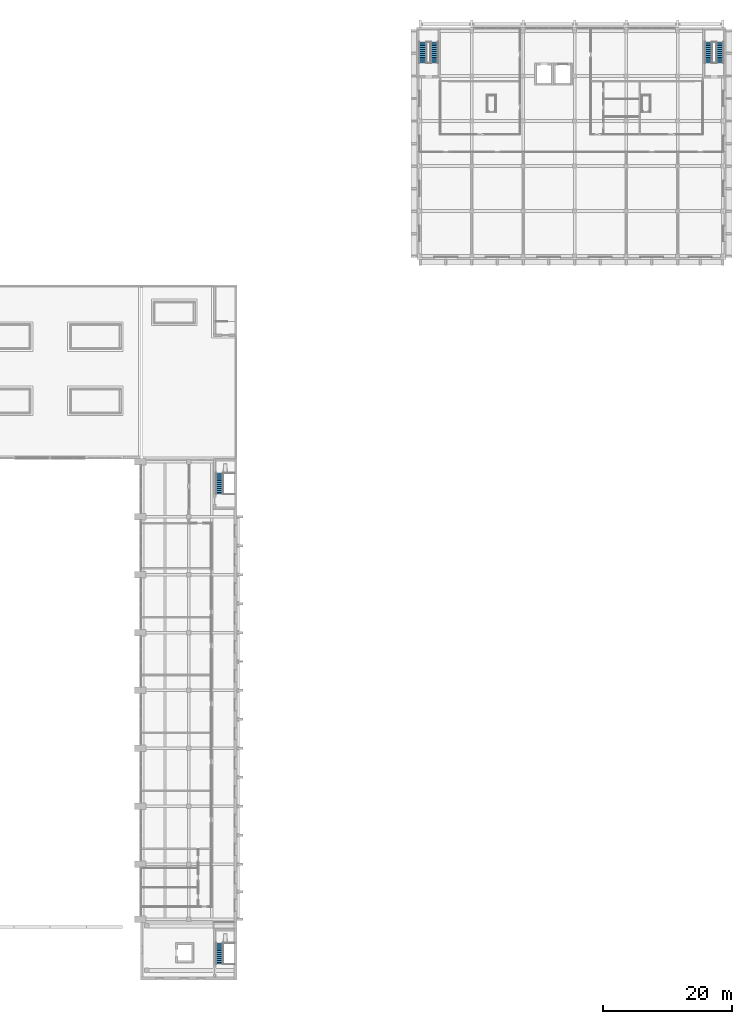
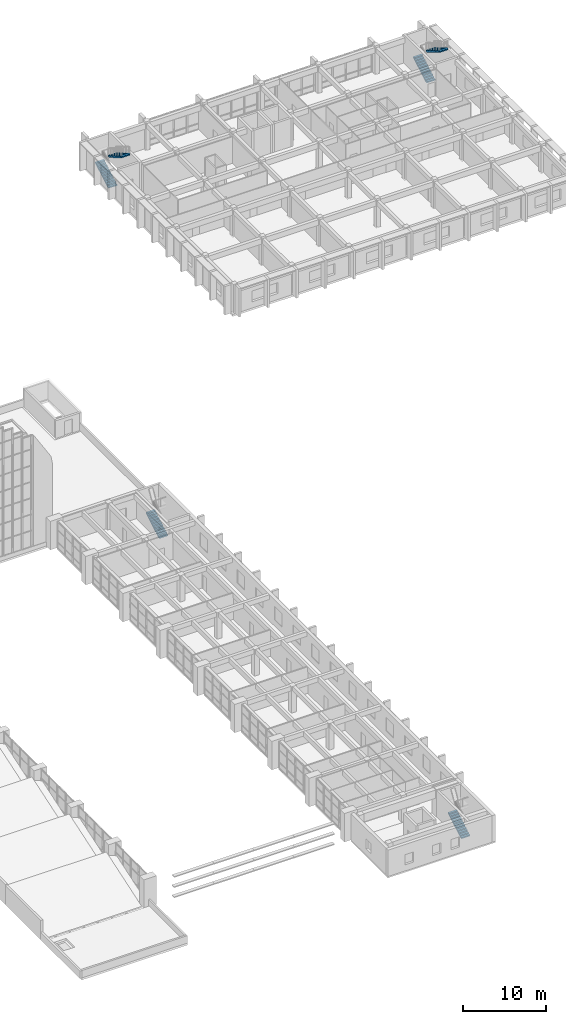
# One storey, part 37 of 43: 6 stair flights, 4 elements without a shape of their own.
"""IFC4 building model written with IfcOpenShell, lengths in metres."""

from ifc_helpers import new_model, si_unit, direction, frame, origin, place, context, subcontext, project, spatial, polyline, outline, extrude, material, type_object, element, aggregate, save


model = new_model("IFC4")

# Units and contexts
model_context = context("Model", 3, precision=1e-05, world=origin(), true_north=direction((0.0, 1.0)))
body_context = subcontext(model_context, "Body", "Model", "MODEL_VIEW")
ifc_project = project(units=[si_unit("LENGTHUNIT", "METRE"), si_unit("AREAUNIT", "SQUARE_METRE"), si_unit("VOLUMEUNIT", "CUBIC_METRE"), si_unit("PLANEANGLEUNIT", "RADIAN"), si_unit("MASSUNIT", "GRAM", prefix="KILO")], contexts=[model_context])

# Site, building, storey
site_placement = place(None, origin())
site = spatial("IfcSite", under=ifc_project, at=site_placement, CompositionType="ELEMENT")
building_placement = place(site_placement, origin())
building = spatial("IfcBuilding", under=site, at=building_placement, Name="Elmora Arch Market Hall", CompositionType="ELEMENT")
storey_placement = place(building_placement, frame((0.0, 0.0, 10.199951171875)))
storey = spatial("IfcBuildingStorey", under=building, at=storey_placement, Name="L02", CompositionType="ELEMENT", Elevation=10.199951171875)

# Stair, stair flight
ifc_material_1 = material(Name="Concrete C40/50", Category="concrete")
stair_type = type_object("IfcStairType", Name="Exit stair 1200", PredefinedType="TWO_STRAIGHT_RUN_STAIR", material=ifc_material_1)
stair_1_placement = place(storey_placement, origin())
stair_1 = element("IfcStair", 1, at=stair_1_placement, inside=storey, type_object=stair_type, Name="Stair ST-ES L02", PredefinedType="TWO_STRAIGHT_RUN_STAIR")
ifc_material_2 = material(Name="Concrete C40/50", Category="concrete")
stair_flight_type = type_object("IfcStairFlightType", Name="Stair flight 1200", PredefinedType="STRAIGHT", material=ifc_material_2)
stair_flight_1_placement = place(storey_placement, frame((55.300048828125, 20.449951171875, 0.0), z_axis=(0.0, 0.0, 1.0), x_axis=(0.0, 1.0, 0.0)))
stair_flight_1 = element("IfcStairFlight", 2, at=stair_flight_1_placement, type_object=stair_flight_type, Name="Stair ST-ES L02 flight 1", NumberOfRisers=12, NumberOfTreads=11, PredefinedType="STRAIGHT", RiserHeight=0.175, TreadLength=0.3, context=body_context, shape_type="SweptSolid", body=[
    extrude(outline(polyline([(0.0, 0.0), (0.0, 0.175048828125), (0.300048828125, 0.175048828125), (0.300048828125, 0.35009765625), (0.60009765625, 0.35009765625), (0.60009765625, 0.52490234375), (0.89990234375, 0.52490234375), (0.89990234375, 0.699951171875), (1.199951171875, 0.699951171875), (1.199951171875, 0.875), (1.5, 0.875), (1.5, 1.050048828125), (1.800048828125, 1.050048828125), (1.800048828125, 1.22509765625), (2.10009765625, 1.22509765625), (2.10009765625, 1.39990234375), (2.39990234375, 1.39990234375), (2.39990234375, 1.574951171875), (2.699951171875, 1.574951171875), (2.699951171875, 1.75), (3.0, 1.75), (3.0, 1.925048828125), (3.300048828125, 1.925048828125), (3.300048828125, 2.10009765625), (3.300048828125, 1.75146484375), (0.297607421875, 0.0), (0.0, 0.0)])), frame((0.0, 0.60009765625, 0.0), z_axis=(0.0, -1.0, 0.0), x_axis=(1.0, 0.0, 0.0)), (0.0, 0.0, 1.0), 1.199951171875),
])
aggregate(stair_1, [stair_flight_1])

stair_2_placement = place(storey_placement, origin())
stair_2 = element("IfcStair", 3, at=stair_2_placement, inside=storey, type_object=stair_type, Name="Stair ST-EN L02", PredefinedType="TWO_STRAIGHT_RUN_STAIR")
stair_flight_2_placement = place(storey_placement, frame((55.300048828125, 93.5, 0.0), z_axis=(0.0, 0.0, 1.0), x_axis=(0.0, 1.0, 0.0)))
stair_flight_2 = element("IfcStairFlight", 4, at=stair_flight_2_placement, type_object=stair_flight_type, Name="Stair ST-EN L02 flight 1", NumberOfRisers=12, NumberOfTreads=11, PredefinedType="STRAIGHT", RiserHeight=0.175, TreadLength=0.3, context=body_context, shape_type="SweptSolid", body=[
    extrude(outline(polyline([(0.0, 0.0), (0.0, 0.175048828125), (0.300048828125, 0.175048828125), (0.300048828125, 0.35009765625), (0.60009765625, 0.35009765625), (0.60009765625, 0.52490234375), (0.89990234375, 0.52490234375), (0.89990234375, 0.699951171875), (1.199951171875, 0.699951171875), (1.199951171875, 0.875), (1.5, 0.875), (1.5, 1.050048828125), (1.800048828125, 1.050048828125), (1.800048828125, 1.22509765625), (2.10009765625, 1.22509765625), (2.10009765625, 1.39990234375), (2.39990234375, 1.39990234375), (2.39990234375, 1.574951171875), (2.699951171875, 1.574951171875), (2.699951171875, 1.75), (3.0, 1.75), (3.0, 1.925048828125), (3.300048828125, 1.925048828125), (3.300048828125, 2.10009765625), (3.300048828125, 1.75146484375), (0.297607421875, 0.0), (0.0, 0.0)])), frame((0.0, 0.60009765625, 0.0), z_axis=(0.0, -1.0, 0.0), x_axis=(1.0, 0.0, 0.0)), (0.0, 0.0, 1.0), 1.199951171875),
])
aggregate(stair_2, [stair_flight_2])

# Stair, stair flights
stair_3_placement = place(storey_placement, origin())
stair_3 = element("IfcStair", 5, at=stair_3_placement, inside=storey, type_object=stair_type, Name="Stair ST-SCW L02", PredefinedType="TWO_STRAIGHT_RUN_STAIR")
stair_flight_3_placement = place(storey_placement, frame((86.89990234375, 160.5, 0.0), z_axis=(0.0, 0.0, 1.0), x_axis=(0.0, 1.0, 0.0)))
stair_flight_3 = element("IfcStairFlight", 6, at=stair_flight_3_placement, type_object=stair_flight_type, Name="Stair ST-SCW L02 flight 1", NumberOfRisers=12, NumberOfTreads=11, PredefinedType="STRAIGHT", RiserHeight=0.175, TreadLength=0.3, context=body_context, shape_type="SweptSolid", body=[
    extrude(outline(polyline([(0.0, 0.0), (0.0, 0.175048828125), (0.300048828125, 0.175048828125), (0.300048828125, 0.35009765625), (0.60009765625, 0.35009765625), (0.60009765625, 0.52490234375), (0.89990234375, 0.52490234375), (0.89990234375, 0.699951171875), (1.199951171875, 0.699951171875), (1.199951171875, 0.875), (1.5, 0.875), (1.5, 1.050048828125), (1.800048828125, 1.050048828125), (1.800048828125, 1.22509765625), (2.10009765625, 1.22509765625), (2.10009765625, 1.39990234375), (2.39990234375, 1.39990234375), (2.39990234375, 1.574951171875), (2.699951171875, 1.574951171875), (2.699951171875, 1.75), (3.0, 1.75), (3.0, 1.925048828125), (3.300048828125, 1.925048828125), (3.300048828125, 2.10009765625), (3.300048828125, 1.75146484375), (0.297607421875, 0.0), (0.0, 0.0)])), frame((0.0, 0.60009765625, 0.0), z_axis=(0.0, -1.0, 0.0), x_axis=(1.0, 0.0, 0.0)), (0.0, 0.0, 1.0), 1.199951171875),
])
stair_flight_4_placement = place(storey_placement, frame((88.699951171875, 163.800048828125, 2.10009765625), z_axis=(0.0, 0.0, 1.0), x_axis=(0.0, -1.0, 0.0)))
stair_flight_4 = element("IfcStairFlight", 7, at=stair_flight_4_placement, type_object=stair_flight_type, Name="Stair ST-SCW L02 flight 2", NumberOfRisers=12, NumberOfTreads=11, PredefinedType="STRAIGHT", RiserHeight=0.175, TreadLength=0.3, context=body_context, shape_type="SweptSolid", body=[
    extrude(outline(polyline([(0.0, 0.0), (0.0, 0.175048828125), (0.300048828125, 0.175048828125), (0.300048828125, 0.35009765625), (0.60009765625, 0.35009765625), (0.60009765625, 0.52490234375), (0.89990234375, 0.52490234375), (0.89990234375, 0.699951171875), (1.199951171875, 0.699951171875), (1.199951171875, 0.875), (1.5, 0.875), (1.5, 1.050048828125), (1.800048828125, 1.050048828125), (1.800048828125, 1.22509765625), (2.10009765625, 1.22509765625), (2.10009765625, 1.39990234375), (2.39990234375, 1.39990234375), (2.39990234375, 1.574951171875), (2.699951171875, 1.574951171875), (2.699951171875, 1.75), (3.0, 1.75), (3.0, 1.925048828125), (3.300048828125, 1.925048828125), (3.300048828125, 2.10009765625), (3.300048828125, 1.75146484375), (0.297607421875, 0.0), (0.0, 0.0)])), frame((0.0, 0.60009765625, 0.0), z_axis=(0.0, -1.0, 0.0), x_axis=(1.0, 0.0, 0.0)), (0.0, 0.0, 1.0), 1.199951171875),
])
aggregate(stair_3, [stair_flight_3, stair_flight_4])

stair_4_placement = place(storey_placement, origin())
stair_4 = element("IfcStair", 8, at=stair_4_placement, inside=storey, type_object=stair_type, Name="Stair ST-SCE L02", PredefinedType="TWO_STRAIGHT_RUN_STAIR")
stair_flight_5_placement = place(storey_placement, frame((131.300048828125, 160.5, 0.0), z_axis=(0.0, 0.0, 1.0), x_axis=(0.0, 1.0, 0.0)))
stair_flight_5 = element("IfcStairFlight", 9, at=stair_flight_5_placement, type_object=stair_flight_type, Name="Stair ST-SCE L02 flight 1", NumberOfRisers=12, NumberOfTreads=11, PredefinedType="STRAIGHT", RiserHeight=0.175, TreadLength=0.3, context=body_context, shape_type="SweptSolid", body=[
    extrude(outline(polyline([(0.0, 0.0), (0.0, 0.175048828125), (0.300048828125, 0.175048828125), (0.300048828125, 0.35009765625), (0.60009765625, 0.35009765625), (0.60009765625, 0.52490234375), (0.89990234375, 0.52490234375), (0.89990234375, 0.699951171875), (1.199951171875, 0.699951171875), (1.199951171875, 0.875), (1.5, 0.875), (1.5, 1.050048828125), (1.800048828125, 1.050048828125), (1.800048828125, 1.22509765625), (2.10009765625, 1.22509765625), (2.10009765625, 1.39990234375), (2.39990234375, 1.39990234375), (2.39990234375, 1.574951171875), (2.699951171875, 1.574951171875), (2.699951171875, 1.75), (3.0, 1.75), (3.0, 1.925048828125), (3.300048828125, 1.925048828125), (3.300048828125, 2.10009765625), (3.300048828125, 1.75146484375), (0.297607421875, 0.0), (0.0, 0.0)])), frame((0.0, 0.60009765625, 0.0), z_axis=(0.0, -1.0, 0.0), x_axis=(1.0, 0.0, 0.0)), (0.0, 0.0, 1.0), 1.199951171875),
])
stair_flight_6_placement = place(storey_placement, frame((133.10009765625, 163.800048828125, 2.10009765625), z_axis=(0.0, 0.0, 1.0), x_axis=(0.0, -1.0, 0.0)))
stair_flight_6 = element("IfcStairFlight", 10, at=stair_flight_6_placement, type_object=stair_flight_type, Name="Stair ST-SCE L02 flight 2", NumberOfRisers=12, NumberOfTreads=11, PredefinedType="STRAIGHT", RiserHeight=0.175, TreadLength=0.3, context=body_context, shape_type="SweptSolid", body=[
    extrude(outline(polyline([(0.0, 0.0), (0.0, 0.175048828125), (0.300048828125, 0.175048828125), (0.300048828125, 0.35009765625), (0.60009765625, 0.35009765625), (0.60009765625, 0.52490234375), (0.89990234375, 0.52490234375), (0.89990234375, 0.699951171875), (1.199951171875, 0.699951171875), (1.199951171875, 0.875), (1.5, 0.875), (1.5, 1.050048828125), (1.800048828125, 1.050048828125), (1.800048828125, 1.22509765625), (2.10009765625, 1.22509765625), (2.10009765625, 1.39990234375), (2.39990234375, 1.39990234375), (2.39990234375, 1.574951171875), (2.699951171875, 1.574951171875), (2.699951171875, 1.75), (3.0, 1.75), (3.0, 1.925048828125), (3.300048828125, 1.925048828125), (3.300048828125, 2.10009765625), (3.300048828125, 1.75146484375), (0.297607421875, 0.0), (0.0, 0.0)])), frame((0.0, 0.60009765625, 0.0), z_axis=(0.0, -1.0, 0.0), x_axis=(1.0, 0.0, 0.0)), (0.0, 0.0, 1.0), 1.199951171875),
])
aggregate(stair_4, [stair_flight_5, stair_flight_6])

save(model, "model.ifc")
